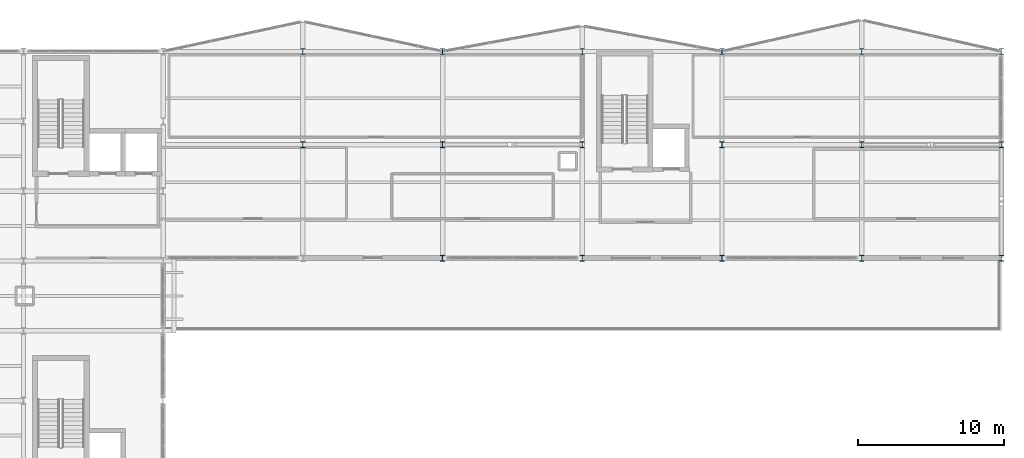
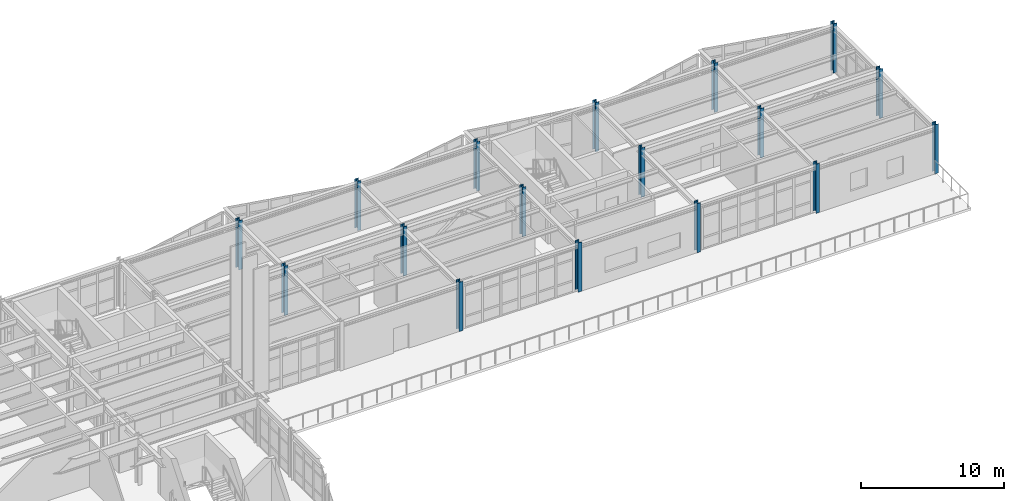
# One storey, part 5 of 47: 17 columns.
"""IFC4 building model written with IfcOpenShell, lengths in metres."""

from ifc_helpers import new_model, si_unit, direction, frame, origin, origin_2d, place, context, subcontext, project, spatial, i_section, extrude, material, material_profile, profile_set, type_object, element, save


model = new_model("IFC4")

# Units and contexts
model_context = context("Model", 3, precision=1e-05, world=origin(), true_north=direction((0.0, 1.0)))
body_context = subcontext(model_context, "Body", "Model", "MODEL_VIEW")
ifc_project = project(units=[si_unit("LENGTHUNIT", "METRE"), si_unit("AREAUNIT", "SQUARE_METRE"), si_unit("VOLUMEUNIT", "CUBIC_METRE"), si_unit("PLANEANGLEUNIT", "RADIAN"), si_unit("MASSUNIT", "GRAM", prefix="KILO")], contexts=[model_context])

# Site, building, storey
site_placement = place(None, origin())
site = spatial("IfcSite", under=ifc_project, at=site_placement, CompositionType="ELEMENT")
building_placement = place(site_placement, origin())
building = spatial("IfcBuilding", under=site, at=building_placement, Name="Nordkorset Police Headquarters", CompositionType="ELEMENT")
storey_placement = place(building_placement, frame((0.0, 0.0, 22.050048828125)))
storey = spatial("IfcBuildingStorey", under=building, at=storey_placement, Name="L05", CompositionType="ELEMENT", Elevation=22.050048828125)

# Columns
ifc_material = material(Name="Steel S355J2", Category="steel")
ifc_material_profile = material_profile(ifc_material, i_section(OverallWidth=0.300048828125, OverallDepth=0.39990234375, WebThickness=0.013427734375, FlangeThickness=0.02392578125, FilletRadius=0.027099609375, at=origin_2d()), Name="HEB 400")
ifc_profile_set = profile_set([ifc_material_profile], Name="Steel S355J2")
column_type = type_object("IfcColumnType", Name="Col_HEB_400", PredefinedType="COLUMN", material=ifc_profile_set)
for number, where, z_axis, x_axis, name in (
    (1, (38.39990234375, 110.39990234375, 0.0), (0.0, 0.0, 1.0), (1.0, 0.0, 0.0), "Structural Column V2_Y2_0 L05"),
    (2, (38.39990234375, 116.800048828125, 0.0), (0.0, 0.0, 1.0), (1.0, 0.0, 0.0), "Structural Column V2_Y3_0 L05"),
    (3, (48.0, 102.60009765625, 0.0), (0.0, 0.0, 1.0), (1.0, 0.0, 0.0), "Structural Column V2_Y1_1 L05"),
    (4, (48.0, 110.39990234375, 0.0), (0.0, 0.0, 1.0), (1.0, 0.0, 0.0), "Structural Column V2_Y2_1 L05"),
    (5, (48.0, 116.800048828125, 0.0), (0.0, 0.0, 1.0), (1.0, 0.0, 0.0), "Structural Column V2_Y3_1 L05"),
    (6, (57.60009765625, 102.60009765625, 0.0), (0.0, 0.0, 1.0), (1.0, 0.0, 0.0), "Structural Column V2_Y1_2 L05"),
    (7, (57.60009765625, 110.39990234375, 0.0), (0.0, 0.0, 1.0), (1.0, 0.0, 0.0), "Structural Column V2_Y2_2 L05"),
    (8, (57.60009765625, 116.800048828125, 0.0), (0.0, 0.0, 1.0), (1.0, 0.0, 0.0), "Structural Column V2_Y3_2 L05"),
    (9, (67.199951171875, 102.60009765625, 0.0), (0.0, 0.0, 1.0), (1.0, 0.0, 0.0), "Structural Column V2_Y1_3 L05"),
    (10, (67.199951171875, 110.39990234375, 0.0), (0.0, 0.0, 1.0), (1.0, 0.0, 0.0), "Structural Column V2_Y2_3 L05"),
    (11, (67.199951171875, 116.800048828125, 0.0), (0.0, 0.0, 1.0), (1.0, 0.0, 0.0), "Structural Column V2_Y3_3 L05"),
    (12, (76.800048828125, 102.60009765625, 0.0), (0.0, 0.0, 1.0), (1.0, 0.0, 0.0), "Structural Column V2_Y1_4 L05"),
    (13, (76.800048828125, 110.39990234375, 0.0), (0.0, 0.0, 1.0), (1.0, 0.0, 0.0), "Structural Column V2_Y2_4 L05"),
    (14, (76.800048828125, 116.800048828125, 0.0), (0.0, 0.0, 1.0), (1.0, 0.0, 0.0), "Structural Column V2_Y3_4 L05"),
    (15, (86.39990234375, 102.60009765625, 0.0), (0.0, 0.0, 1.0), (1.0, 0.0, 0.0), "Structural Column V2_Y1_5 L05"),
    (16, (86.39990234375, 110.39990234375, 0.0), (0.0, 0.0, 1.0), (1.0, 0.0, 0.0), "Structural Column V2_Y2_5 L05"),
    (17, (86.39990234375, 116.800048828125, 0.0), (0.0, 0.0, 1.0), (1.0, 0.0, 0.0), "Structural Column V2_Y3_5 L05"),
):
    element("IfcColumn", number, at=place(storey_placement, frame(where, z_axis=z_axis, x_axis=x_axis)), inside=storey, type_object=column_type, Name=name, PredefinedType="COLUMN", context=body_context, shape_type="SweptSolid", body=[
        extrude(i_section(OverallWidth=0.300048828125, OverallDepth=0.39990234375, WebThickness=0.013427734375, FlangeThickness=0.02392578125, FilletRadius=0.027099609375, at=origin_2d()), origin(), (0.0, 0.0, 1.0), 4.199951171875),
    ])

save(model, "model.ifc")
